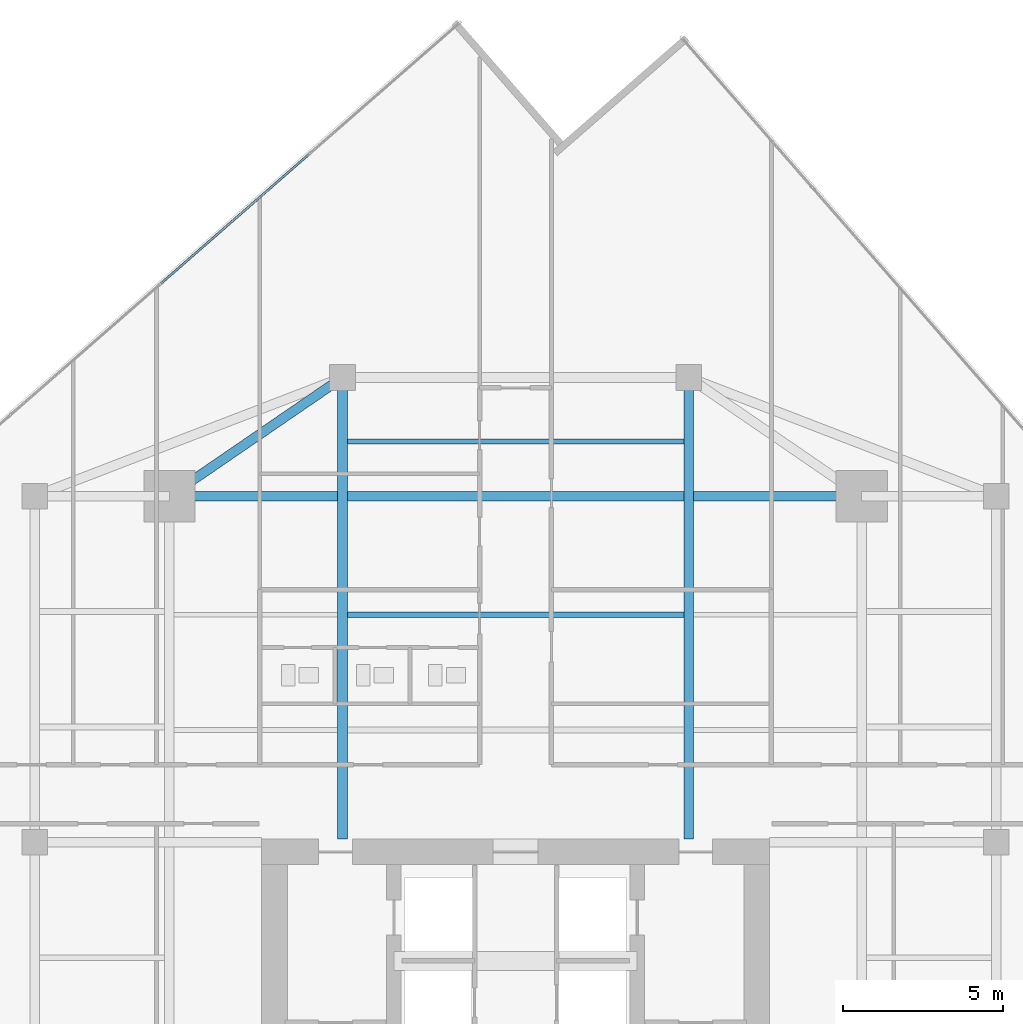
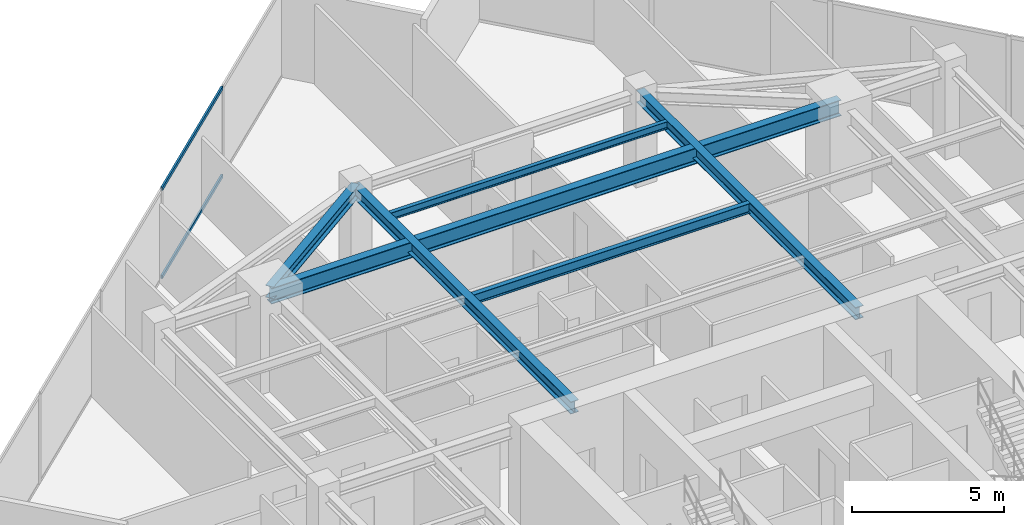
# One storey, part 15 of 24: 6 beams, 2 members, 1 element without a shape of its own.
"""IFC4 building model written with IfcOpenShell, lengths in metres."""

import ifcopenshell
import ifcopenshell.guid

model = None  # the IFC model being written
_history = None  # IfcOwnerHistory: only IFC2X3 demands one
_inside = {}  # id of a spatial element -> (the spatial element, [elements in it])
_under = {}  # id of a project, library or spatial element -> (it, [spatial elements below it])
_declared = {}  # id of a project -> (the project, [libraries it declares])
_typed = {}  # id of a type object -> (the type object, [elements of that type])
_made_of = {}  # id of a material, layer set ... -> (it, [elements and type objects made of it])


def new_model(schema):
    """Start an empty IFC model of exactly this schema.

    Asked for "IFC4X3", IfcOpenShell would pick the latest addendum, in which some entities
    have other attributes; the version numbers below select the first issue.
    IFC2X3 requires an IfcOwnerHistory on every rooted entity: one is made here for all.
    """
    global model, _history
    if schema == "IFC4X3":
        model = ifcopenshell.file(schema_version=(4, 3, 0, 0))
    else:
        model = ifcopenshell.file(schema=schema)
    _inside.clear()
    _under.clear()
    _declared.clear()
    _typed.clear()
    _made_of.clear()
    _history = None
    if model.schema == "IFC2X3":
        org = make("IfcOrganization", Name="unknown")
        user = make(
            "IfcPersonAndOrganization",
            ThePerson=make("IfcPerson", FamilyName="unknown"),
            TheOrganization=org,
        )
        app = make(
            "IfcApplication",
            ApplicationDeveloper=org,
            Version="unknown",
            ApplicationFullName="unknown",
            ApplicationIdentifier="unknown",
        )
        _history = make(
            "IfcOwnerHistory",
            OwningUser=user,
            OwningApplication=app,
            ChangeAction="ADDED",
            CreationDate=0,
        )
    return model


def make(cls, **values):
    """One entity of the class cls with the attributes given. An attribute that is None is left unset."""
    return model.create_entity(
        cls, **{name: value for name, value in values.items() if value is not None}
    )


def rooted(cls, **values):
    """An entity with a GlobalId (a new one), such as an element, a storey or a relation."""
    return make(cls, GlobalId=ifcopenshell.guid.new(), OwnerHistory=_history, **values)


def si_unit(unit_type, name, prefix=None):
    """IfcSIUnit, for example si_unit("LENGTHUNIT", "METRE", prefix="MILLI")."""
    return make("IfcSIUnit", UnitType=unit_type, Prefix=prefix, Name=name)


def assignment(units):
    """IfcUnitAssignment: the units of a project."""
    return None if units is None else make("IfcUnitAssignment", Units=units)


def point(xyz):
    """IfcCartesianPoint."""
    return None if xyz is None else make("IfcCartesianPoint", Coordinates=xyz)


def direction(xyz):
    """IfcDirection."""
    return None if xyz is None else make("IfcDirection", DirectionRatios=xyz)


def frame(location, z_axis=None, x_axis=None):
    """IfcAxis2Placement3D, a coordinate frame: its origin and axes. An axis left out is left unset."""
    return make(
        "IfcAxis2Placement3D",
        Location=point(location),
        Axis=direction(z_axis),
        RefDirection=direction(x_axis),
    )


def frame_2d(location, x_axis=None):
    """IfcAxis2Placement2D, a coordinate frame in the plane: its origin and x axis."""
    return make(
        "IfcAxis2Placement2D", Location=point(location), RefDirection=direction(x_axis)
    )


def origin():
    """The frame at (0, 0, 0) with its axes left unset."""
    return frame((0.0, 0.0, 0.0))


def origin_2d():
    """The frame at (0, 0) in the plane with its x axis left unset."""
    return frame_2d((0.0, 0.0))


def place(relative_to, where):
    """IfcLocalPlacement: puts the frame where relative to a parent placement (None: the world)."""
    return make(
        "IfcLocalPlacement", PlacementRelTo=relative_to, RelativePlacement=where
    )


def context(
    kind, dimensions, precision=None, world=None, true_north=None, identifier=None
):
    """IfcGeometricRepresentationContext, for example the 3D "Model" context."""
    return make(
        "IfcGeometricRepresentationContext",
        ContextIdentifier=identifier,
        ContextType=kind,
        CoordinateSpaceDimension=dimensions,
        Precision=precision,
        WorldCoordinateSystem=world,
        TrueNorth=true_north,
    )


def subcontext(parent, identifier, kind, view, scale=None):
    """IfcGeometricRepresentationSubContext, for example "Body" below "Model"."""
    return make(
        "IfcGeometricRepresentationSubContext",
        ContextIdentifier=identifier,
        ContextType=kind,
        ParentContext=parent,
        TargetScale=scale,
        TargetView=view,
    )


def project(units=None, contexts=None):
    """IfcProject with its units and contexts."""
    return rooted(
        "IfcProject",
        Name="project",
        RepresentationContexts=contexts,
        UnitsInContext=assignment(units),
    )


def spatial(cls, under=None, at=None, **own):
    """A site, building, storey or space (cls), placed at a placement, below another one or the project."""
    s = rooted(cls, ObjectPlacement=at, **own)
    if under is not None:
        _under.setdefault(under.id(), (under, []))[1].append(s)
    return s


def profile(cls, at=None, kind="AREA", **sizes):
    """A parametric profile (cls). Its sizes go by their IFC names, for example OverallWidth=200.0."""
    return make(cls, ProfileType=kind, Position=at, **sizes)


def hollow_rectangle(**sizes):
    """IfcRectangleHollowProfileDef."""
    return profile("IfcRectangleHollowProfileDef", **sizes)


def i_section(**sizes):
    """IfcIShapeProfileDef."""
    return profile("IfcIShapeProfileDef", **sizes)


def extrude(swept, where, along, depth):
    """IfcExtrudedAreaSolid: the profile swept, set in the frame where, extruded along a direction by depth."""
    return make(
        "IfcExtrudedAreaSolid",
        SweptArea=swept,
        Position=where,
        ExtrudedDirection=direction(along),
        Depth=depth,
    )


def shape(context_of_items, identifier, shape_type, items):
    """IfcShapeRepresentation: the items that make up one representation, for example the "Body"."""
    return make(
        "IfcShapeRepresentation",
        ContextOfItems=context_of_items,
        RepresentationIdentifier=identifier,
        RepresentationType=shape_type,
        Items=items,
    )


def source(mapping_origin, context_of_items, identifier, shape_type, items):
    """IfcRepresentationMap: a shape defined once, which mapped items show again and again."""
    return make(
        "IfcRepresentationMap",
        MappingOrigin=mapping_origin,
        MappedRepresentation=shape(context_of_items, identifier, shape_type, items),
    )


def transform(
    local_origin,
    x_axis=None,
    y_axis=None,
    z_axis=None,
    scale=None,
    scale2=None,
    scale3=None,
    uniform=True,
):
    """IfcCartesianTransformationOperator3D, or its non-uniform kind. x_axis, y_axis, z_axis: its Axis1, 2, 3."""
    if uniform:
        return make(
            "IfcCartesianTransformationOperator3D",
            Axis1=direction(x_axis),
            Axis2=direction(y_axis),
            LocalOrigin=point(local_origin),
            Scale=scale,
            Axis3=direction(z_axis),
        )
    return make(
        "IfcCartesianTransformationOperator3DnonUniform",
        Axis1=direction(x_axis),
        Axis2=direction(y_axis),
        LocalOrigin=point(local_origin),
        Scale=scale,
        Axis3=direction(z_axis),
        Scale2=scale2,
        Scale3=scale3,
    )


def mapped(mapping_source, mapping_target):
    """IfcMappedItem: shows the shape of a source again, moved by a transform."""
    return make(
        "IfcMappedItem", MappingSource=mapping_source, MappingTarget=mapping_target
    )


def material(Name=None, Category=None):
    """IfcMaterial."""
    return make("IfcMaterial", Name=Name, Category=Category)


def material_profile(
    of_material, cross_section, Name=None, Category=None, Priority=None
):
    """IfcMaterialProfile: a cross section and its material."""
    return make(
        "IfcMaterialProfile",
        Name=Name,
        Material=of_material,
        Profile=cross_section,
        Priority=Priority,
        Category=Category,
    )


def profile_set(profiles, Name=None, composite=None):
    """IfcMaterialProfileSet."""
    return make(
        "IfcMaterialProfileSet",
        Name=Name,
        MaterialProfiles=profiles,
        CompositeProfile=composite,
    )


def made_of(thing, what):
    """Note that an element or type object is made of a material, layer set ...; save() writes the relation."""
    if what is not None:
        _made_of.setdefault(what.id(), (what, []))[1].append(thing)
    return thing


def type_object(cls, material=None, **own):
    """A type object (cls), such as IfcWallType, which elements share."""
    return made_of(rooted(cls, **own), material)


def type_shapes(of_type, sources):
    """Give a type object the sources (RepresentationMaps) that its elements show as mapped items."""
    of_type.RepresentationMaps = sources


def element(
    cls,
    number,
    at=None,
    inside=None,
    cuts=None,
    type_object=None,
    material=None,
    context=None,
    identifier="Body",
    shape_type=None,
    held_by="IfcProductDefinitionShape",
    body=None,
    shapes=None,
    **own,
):
    """One element of the class cls, such as IfcWall. Its Tag is "e" and its number.

    at: its placement. inside: the storey or other place that contains it. cuts: it is an
    opening in that element (IfcRelVoidsElement). A single representation is given by context,
    identifier, shape_type and body (its items); several are given by shapes. held_by: the class
    of the entity that holds the representations. save() writes the other relations.
    """
    e = rooted(cls, Tag="e%d" % number, ObjectPlacement=at, **own)
    if body is not None:
        shapes = [shape(context, identifier, shape_type, body)]
    if shapes is not None:
        e.Representation = make(held_by, Representations=shapes)
    if inside is not None:
        _inside.setdefault(inside.id(), (inside, []))[1].append(e)
    if cuts is not None:
        rooted(
            "IfcRelVoidsElement", RelatingBuildingElement=cuts, RelatedOpeningElement=e
        )
    if type_object is not None:
        _typed.setdefault(type_object.id(), (type_object, []))[1].append(e)
    return made_of(e, material)


def aggregate(whole, parts):
    """IfcRelAggregates: a whole, such as a stair, and the parts it consists of."""
    return rooted("IfcRelAggregates", RelatingObject=whole, RelatedObjects=parts)


def save(model, path):
    """Write the relations noted so far, then the file.

    IfcRelAggregates (storeys below a building ...), IfcRelContainedInSpatialStructure (elements
    in a storey), IfcRelDefinesByType, IfcRelAssociatesMaterial and IfcRelDeclares: one each for
    every whole, place, type object, material and project.
    """
    for whole, parts in _under.values():
        aggregate(whole, parts)
    for where, things in _inside.values():
        rooted(
            "IfcRelContainedInSpatialStructure",
            RelatedElements=things,
            RelatingStructure=where,
        )
    for kind, things in _typed.values():
        rooted("IfcRelDefinesByType", RelatedObjects=things, RelatingType=kind)
    for what, things in _made_of.values():
        rooted("IfcRelAssociatesMaterial", RelatedObjects=things, RelatingMaterial=what)
    for by, libraries in _declared.values():
        rooted("IfcRelDeclares", RelatingContext=by, RelatedDefinitions=libraries)
    model.write(path)


model = new_model("IFC4")

# Units and contexts
model_context = context("Model", 3, precision=1e-05, world=origin(), true_north=direction((0.0, 1.0)))
body_context = subcontext(model_context, "Body", "Model", "MODEL_VIEW")
ifc_project = project(units=[si_unit("LENGTHUNIT", "METRE"), si_unit("AREAUNIT", "SQUARE_METRE"), si_unit("VOLUMEUNIT", "CUBIC_METRE"), si_unit("PLANEANGLEUNIT", "RADIAN"), si_unit("MASSUNIT", "GRAM", prefix="KILO")], contexts=[model_context])

# Site, building, storey
site_placement = place(None, origin())
site = spatial("IfcSite", under=ifc_project, at=site_placement, CompositionType="ELEMENT")
building_placement = place(site_placement, origin())
building = spatial("IfcBuilding", under=site, at=building_placement, Name="Krantzveldt Concourse Tower", CompositionType="ELEMENT")
storey_placement = place(building_placement, frame((0.0, 0.0, 258.64990234375)))
storey = spatial("IfcBuildingStorey", under=building, at=storey_placement, Name="L63", CompositionType="ELEMENT", Elevation=258.64990234375)

# Beams
ifc_material_1 = material(Name="Steel S355JR", Category="steel")
ifc_material_profile_1 = material_profile(ifc_material_1, i_section(OverallWidth=0.300048828125, OverallDepth=0.639892578125, WebThickness=0.013427734375, FlangeThickness=0.02587890625, FilletRadius=0.027099609375, at=origin_2d()), Name="Steel S355JR", Category="steel")
ifc_profile_set_1 = profile_set([ifc_material_profile_1], Name="Steel S355JR - HEA 650")
beam_type_1 = type_object("IfcBeamType", Name="BM-B-HEA650", PredefinedType="BEAM", material=ifc_profile_set_1)
shared_shape_1 = source(origin(), body_context, "Body", "SweptSolid", [
    extrude(i_section(OverallWidth=0.300048828125, OverallDepth=0.639892578125, WebThickness=0.013427734375, FlangeThickness=0.02587890625, FilletRadius=0.027099609375, at=origin_2d()), origin(), (0.0, 0.0, 1.0), 21.60009765625),
])
type_shapes(beam_type_1, [shared_shape_1])
beam_1_placement = place(storey_placement, frame((25.199951171875, 37.5, 3.280029296875), z_axis=(1.0, 0.0, 0.0), x_axis=(0.0, 1.0, 0.0)))
element("IfcBeam", 1, at=beam_1_placement, inside=storey, type_object=beam_type_1, Name="L63 Tower Girder BG-MN", PredefinedType="BEAM", context=body_context, shape_type="MappedRepresentation", body=[
    mapped(shared_shape_1, transform((0.0, 0.0, 0.0), x_axis=(1.0, 0.0, 0.0), y_axis=(0.0, 1.0, 0.0), z_axis=(0.0, 0.0, 1.0), scale=1.0)),
])
ifc_material_profile_2 = material_profile(ifc_material_1, i_section(OverallWidth=0.179931640625, OverallDepth=0.39990234375, WebThickness=0.008544921875, FlangeThickness=0.013427734375, FilletRadius=0.02099609375, at=origin_2d()), Name="Steel S355JR", Category="steel")
ifc_profile_set_2 = profile_set([ifc_material_profile_2], Name="Steel S355JR - IPE 400")
beam_type_2 = type_object("IfcBeamType", Name="BM-J-IPE400", PredefinedType="JOIST", material=ifc_profile_set_2)
shared_shape_2 = source(origin(), body_context, "Body", "SweptSolid", [
    extrude(i_section(OverallWidth=0.179931640625, OverallDepth=0.39990234375, WebThickness=0.008544921875, FlangeThickness=0.013427734375, FilletRadius=0.02099609375, at=origin_2d()), origin(), (0.0, 0.0, 1.0), 10.5),
])
type_shapes(beam_type_2, [shared_shape_2])
beam_2_placement = place(storey_placement, frame((30.75, 33.800048828125, 3.400146484375), z_axis=(1.0, 0.0, 0.0), x_axis=(0.0, 1.0, 0.0)))
element("IfcBeam", 2, at=beam_2_placement, inside=storey, type_object=beam_type_2, Name="L63 Secondary Floor Joist JN-C2", PredefinedType="JOIST", context=body_context, shape_type="MappedRepresentation", body=[
    mapped(shared_shape_2, transform((0.0, 0.0, 0.0), x_axis=(1.0, 0.0, 0.0), y_axis=(0.0, 1.0, 0.0), z_axis=(0.0, 0.0, 1.0), scale=1.0)),
])
ifc_material_profile_3 = material_profile(ifc_material_1, i_section(OverallWidth=0.300048828125, OverallDepth=0.489990234375, WebThickness=0.011962890625, FlangeThickness=0.02294921875, FilletRadius=0.027099609375, at=origin_2d()), Name="Steel S355JR", Category="steel")
ifc_profile_set_3 = profile_set([ifc_material_profile_3], Name="Steel S355JR - HEA 500")
beam_type_3 = type_object("IfcBeamType", Name="BM-B-HEA500", PredefinedType="BEAM", material=ifc_profile_set_3)
shared_shape_3 = source(origin(), body_context, "Body", "SweptSolid", [
    extrude(i_section(OverallWidth=0.300048828125, OverallDepth=0.489990234375, WebThickness=0.011962890625, FlangeThickness=0.02294921875, FilletRadius=0.027099609375, at=origin_2d()), origin(), (0.0, 0.0, 1.0), 14.39990234375),
])
for number, where, z_axis, x_axis, name in (
    (3, (30.60009765625, 26.800048828125, 3.35498046875), (0.0, 1.0, 0.0), (-1.0, 0.0, 0.0), "L63 Tower Girder BG-CNW"),
    (4, (41.39990234375, 26.800048828125, 3.35498046875), (0.0, 1.0, 0.0), (-1.0, 0.0, 0.0), "L63 Tower Girder BG-CNE"),
):
    element("IfcBeam", number, at=place(storey_placement, frame(where, z_axis=z_axis, x_axis=x_axis)), inside=storey, type_object=beam_type_3, Name=name, PredefinedType="BEAM", context=body_context, shape_type="MappedRepresentation", body=[
        mapped(shared_shape_3, transform((0.0, 0.0, 0.0), x_axis=(1.0, 0.0, 0.0), y_axis=(0.0, 1.0, 0.0), z_axis=(0.0, 0.0, 1.0), scale=1.0)),
    ])
shared_shape_4 = source(origin(), body_context, "Body", "SweptSolid", [
    extrude(i_section(OverallWidth=0.300048828125, OverallDepth=0.489990234375, WebThickness=0.011962890625, FlangeThickness=0.02294921875, FilletRadius=0.027099609375, at=origin_2d()), origin(), (0.0, 0.0, 1.0), 6.546142578125),
])
type_shapes(beam_type_3, [shared_shape_3, shared_shape_4])
beam_3_placement = place(storey_placement, frame((25.199951171875, 37.5, 3.35498046875), z_axis=(0.824942999484, 0.565215930068, 0.0), x_axis=(-0.565215930068, 0.824942999484, 0.0)))
element("IfcBeam", 5, at=beam_3_placement, inside=storey, type_object=beam_type_3, Name="L63 Tower Girder BR-RL4", PredefinedType="BEAM", context=body_context, shape_type="MappedRepresentation", body=[
    mapped(shared_shape_4, transform((0.0, 0.0, 0.0), x_axis=(1.0, 0.0, 0.0), y_axis=(0.0, 1.0, 0.0), z_axis=(0.0, 0.0, 1.0), scale=1.0)),
])
ifc_material_profile_4 = material_profile(ifc_material_1, i_section(OverallWidth=0.14990234375, OverallDepth=0.300048828125, WebThickness=0.007080078125, FlangeThickness=0.0107421875, FilletRadius=0.014892578125, at=origin_2d()), Name="Steel S355JR", Category="steel")
ifc_profile_set_4 = profile_set([ifc_material_profile_4], Name="Steel S355JR - IPE 300")
beam_type_4 = type_object("IfcBeamType", Name="BM-J-IPE300", PredefinedType="JOIST", material=ifc_profile_set_4)
shared_shape_5 = source(origin(), body_context, "Body", "SweptSolid", [
    extrude(i_section(OverallWidth=0.14990234375, OverallDepth=0.300048828125, WebThickness=0.007080078125, FlangeThickness=0.0107421875, FilletRadius=0.014892578125, at=origin_2d()), origin(), (0.0, 0.0, 1.0), 10.5),
])
type_shapes(beam_type_4, [shared_shape_5])
beam_4_placement = place(storey_placement, frame((30.75, 39.199951171875, 3.4501953125), z_axis=(1.0, 0.0, 0.0), x_axis=(0.0, 1.0, 0.0)))
element("IfcBeam", 6, at=beam_4_placement, inside=storey, type_object=beam_type_4, Name="L63 Secondary Floor Joist JN-C3", PredefinedType="JOIST", context=body_context, shape_type="MappedRepresentation", body=[
    mapped(shared_shape_5, transform((0.0, 0.0, 0.0), x_axis=(1.0, 0.0, 0.0), y_axis=(0.0, 1.0, 0.0), z_axis=(0.0, 0.0, 1.0), scale=1.0)),
])

# Curtain wall, members
ifc_material_2 = material(Name="Anodised aluminium 6063-T6", Category="aluminium")
curtain_wall_type = type_object("IfcCurtainWallType", Name="CW3", PredefinedType="USERDEFINED", material=ifc_material_2)
curtain_wall_placement = place(storey_placement, origin())
curtain_wall = element("IfcCurtainWall", 7, at=curtain_wall_placement, inside=storey, type_object=curtain_wall_type, Name="CW-L63-F01", ObjectType="UNITISED CURTAIN WALL", PredefinedType="USERDEFINED")
ifc_material_profile_5 = material_profile(ifc_material_2, hollow_rectangle(XDim=0.070068359375, YDim=0.139892578125, WallThickness=0.0048828125, at=origin_2d()), Name="Anodised aluminium 6063-T6", Category="aluminium")
ifc_profile_set_5 = profile_set([ifc_material_profile_5], Name="Anodised aluminium 6063-T6 - ALU-TRAN 140x70x5")
member_type = type_object("IfcMemberType", Name="CW-TRN-150", PredefinedType="USERDEFINED", material=ifc_profile_set_5)
shared_shape_6 = source(origin(), body_context, "Body", "SweptSolid", [
    extrude(hollow_rectangle(XDim=0.070068359375, YDim=0.139892578125, WallThickness=0.0048828125, at=origin_2d()), origin(), (0.0, 0.0, 1.0), 6.130126953125),
])
type_shapes(member_type, [shared_shape_6])
member_1_placement = place(storey_placement, frame((29.555419921875, 48.16796875, 0.03515625), z_axis=(-0.753281864593, -0.657697827635, 0.0), x_axis=(0.657697827635, -0.753281864593, 0.0)))
member_1 = element("IfcMember", 8, at=member_1_placement, type_object=member_type, Name="CW-Z34 transom 2.1", ObjectType="TRANSOM", PredefinedType="USERDEFINED", context=body_context, shape_type="MappedRepresentation", body=[
    mapped(shared_shape_6, transform((0.0, 0.0, 0.0), x_axis=(1.0, 0.0, 0.0), y_axis=(0.0, 1.0, 0.0), z_axis=(0.0, 0.0, 1.0), scale=1.0)),
])
member_2_placement = place(storey_placement, frame((29.555419921875, 48.16796875, 3.565185546875), z_axis=(-0.753281864593, -0.657697827635, 0.0), x_axis=(0.657697827635, -0.753281864593, 0.0)))
member_2 = element("IfcMember", 9, at=member_2_placement, type_object=member_type, Name="CW-Z34 transom 2.2", ObjectType="TRANSOM", PredefinedType="USERDEFINED", context=body_context, shape_type="MappedRepresentation", body=[
    mapped(shared_shape_6, transform((0.0, 0.0, 0.0), x_axis=(1.0, 0.0, 0.0), y_axis=(0.0, 1.0, 0.0), z_axis=(0.0, 0.0, 1.0), scale=1.0)),
])
aggregate(curtain_wall, [member_1, member_2])

save(model, "model.ifc")
